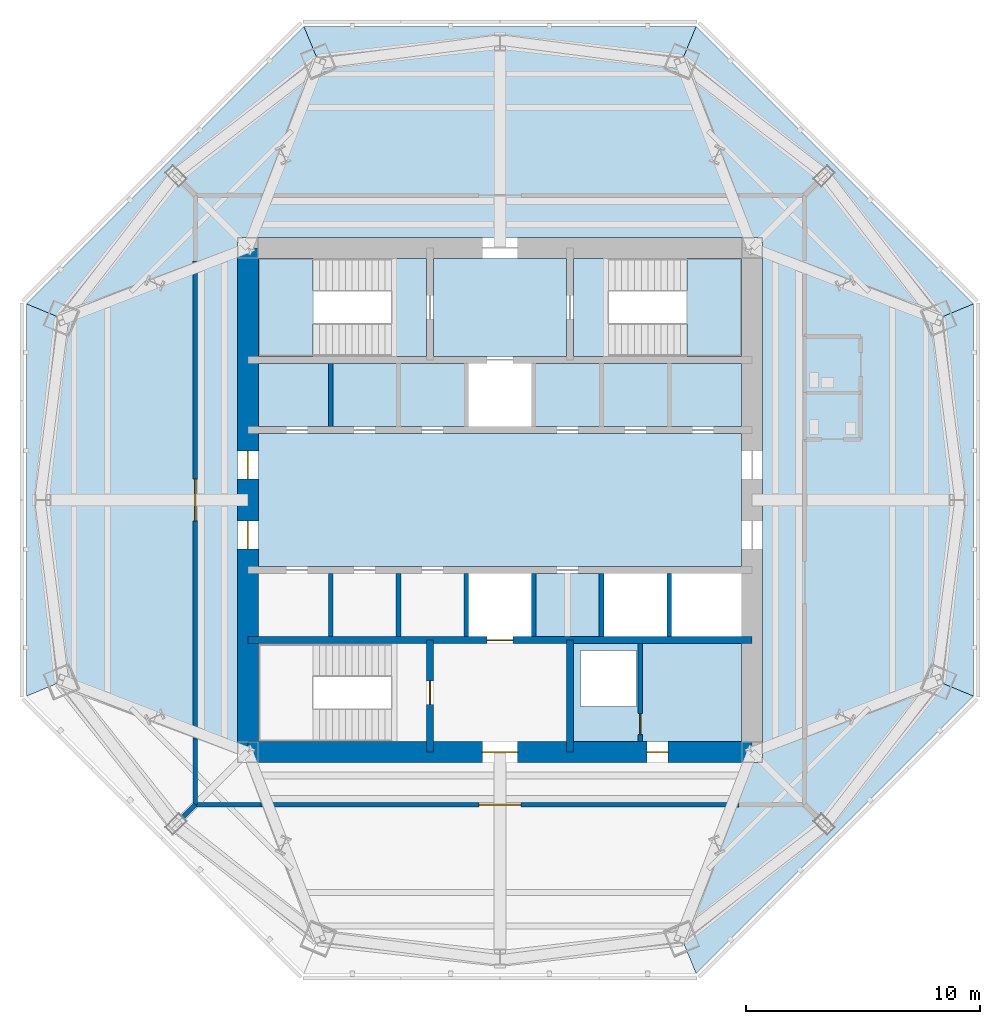
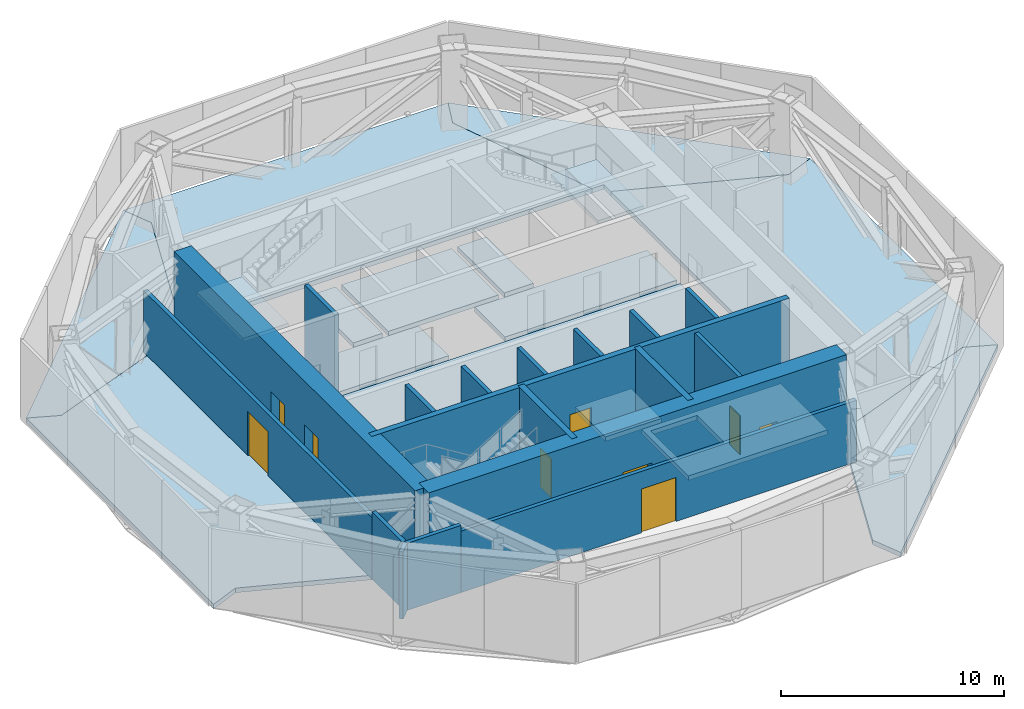
# One storey, part 4 of 9: 18 walls, 16 slabs, 9 doors, 9 openings, 2 elements without a shape of their own.
"""IFC4 building model written with IfcOpenShell, lengths in metres."""

from ifc_helpers import new_model, si_unit, direction, frame, frame_2d, origin, place, context, subcontext, project, spatial, polyline, rectangle, outline, extrude, material, layer, layer_set, type_object, element, fill, aggregate, save


model = new_model("IFC4")

# Units and contexts
model_context = context("Model", 3, precision=1e-05, world=origin(), true_north=direction((0.0, 1.0)))
body_context = subcontext(model_context, "Body", "Model", "MODEL_VIEW")
ifc_project = project(units=[si_unit("LENGTHUNIT", "METRE"), si_unit("AREAUNIT", "SQUARE_METRE"), si_unit("VOLUMEUNIT", "CUBIC_METRE"), si_unit("PLANEANGLEUNIT", "RADIAN"), si_unit("MASSUNIT", "GRAM", prefix="KILO")], contexts=[model_context])

# Site, building, storey
site_placement = place(None, origin())
site = spatial("IfcSite", under=ifc_project, at=site_placement, CompositionType="ELEMENT")
building_placement = place(site_placement, origin())
building = spatial("IfcBuilding", under=site, at=building_placement, Name="Mashrafa Tower", CompositionType="ELEMENT")
storey_placement = place(building_placement, frame((0.0, 0.0, 266.300048828125)))
storey = spatial("IfcBuildingStorey", under=building, at=storey_placement, Name="L64", CompositionType="ELEMENT", Elevation=266.300048828125)

# Slabs
ifc_material_1 = material(Name="Concrete C35/45", Category="concrete")
ifc_layer_1 = layer(ifc_material_1, 0.25)
ifc_layer_set_1 = layer_set([ifc_layer_1], Name="Floor slab 250")
slab_type_1 = type_object("IfcSlabType", Name="Floor slab 250", PredefinedType="FLOOR", material=ifc_layer_set_1)
slab_1_placement = place(storey_placement, frame((0.0, 0.0, -0.25)))
element("IfcSlab", 1, at=slab_1_placement, inside=storey, type_object=slab_type_1, Name="Floor slab L64 east bay", PredefinedType="FLOOR", context=body_context, shape_type="SweptSolid", body=[
    extrude(outline(polyline([(20.281494140625, 8.40087890625), (20.281494140625, -8.40087890625), (20.281494140625, -8.40087890625), (18.810302734375, -7.79150390625), (11.25, -10.631103515625), (11.25, 10.631103515625), (18.810302734375, 7.79150390625), (20.281494140625, 8.40087890625), (20.281494140625, 8.40087890625)])), origin(), (0.0, 0.0, 1.0), 0.25),
])
slab_2_placement = place(storey_placement, frame((0.0, 0.0, -0.25)))
element("IfcSlab", 2, at=slab_2_placement, inside=storey, type_object=slab_type_1, Name="Floor slab L64 north-east bay", PredefinedType="FLOOR", context=body_context, shape_type="SweptSolid", body=[
    extrude(outline(polyline([(20.281494140625, 8.40087890625), (18.810302734375, 7.79150390625), (11.25, 10.631103515625), (11.25, 11.25), (10.631103515625, 11.25), (7.79150390625, 18.810302734375), (8.40087890625, 20.281494140625), (20.281494140625, 8.40087890625)])), origin(), (0.0, 0.0, 1.0), 0.25),
])
slab_3_placement = place(storey_placement, frame((0.0, 0.0, -0.25)))
element("IfcSlab", 3, at=slab_3_placement, inside=storey, type_object=slab_type_1, Name="Floor slab L64 north bay", PredefinedType="FLOOR", context=body_context, shape_type="SweptSolid", body=[
    extrude(outline(polyline([(-8.40087890625, 20.281494140625), (8.40087890625, 20.281494140625), (8.40087890625, 20.281494140625), (7.79150390625, 18.810302734375), (10.631103515625, 11.25), (-10.631103515625, 11.25), (-7.79150390625, 18.810302734375), (-8.40087890625, 20.281494140625), (-8.40087890625, 20.281494140625)])), origin(), (0.0, 0.0, 1.0), 0.25),
])
slab_4_placement = place(storey_placement, frame((0.0, 0.0, -0.25)))
element("IfcSlab", 4, at=slab_4_placement, inside=storey, type_object=slab_type_1, Name="Floor slab L64 north-west bay", PredefinedType="FLOOR", context=body_context, shape_type="SweptSolid", body=[
    extrude(outline(polyline([(-8.40087890625, 20.281494140625), (-7.79150390625, 18.810302734375), (-10.631103515625, 11.25), (-11.25, 11.25), (-11.25, 10.631103515625), (-18.810302734375, 7.79150390625), (-20.281494140625, 8.40087890625), (-8.40087890625, 20.281494140625)])), origin(), (0.0, 0.0, 1.0), 0.25),
])
slab_5_placement = place(storey_placement, frame((0.0, 0.0, -0.25)))
element("IfcSlab", 5, at=slab_5_placement, inside=storey, type_object=slab_type_1, Name="Floor slab L64 west bay", PredefinedType="FLOOR", context=body_context, shape_type="SweptSolid", body=[
    extrude(outline(polyline([(-20.281494140625, -8.40087890625), (-20.281494140625, 8.40087890625), (-20.281494140625, 8.40087890625), (-18.810302734375, 7.79150390625), (-11.25, 10.631103515625), (-11.25, -10.631103515625), (-18.810302734375, -7.79150390625), (-20.281494140625, -8.40087890625), (-20.281494140625, -8.40087890625)])), origin(), (0.0, 0.0, 1.0), 0.25),
])
slab_6_placement = place(storey_placement, frame((0.0, 0.0, -0.25)))
element("IfcSlab", 6, at=slab_6_placement, inside=storey, type_object=slab_type_1, Name="Floor slab L64 south-east bay", PredefinedType="FLOOR", context=body_context, shape_type="SweptSolid", body=[
    extrude(outline(polyline([(8.40087890625, -20.281494140625), (7.79150390625, -18.810302734375), (10.631103515625, -11.25), (11.25, -11.25), (11.25, -10.631103515625), (18.810302734375, -7.79150390625), (20.281494140625, -8.40087890625), (8.40087890625, -20.281494140625)])), origin(), (0.0, 0.0, 1.0), 0.25),
])
slab_7_placement = place(storey_placement, frame((0.0, 0.0, -0.25)))
element("IfcSlab", 7, at=slab_7_placement, inside=storey, type_object=slab_type_1, Name="Core floor lift hall L64", PredefinedType="FLOOR", context=body_context, shape_type="SweptSolid", body=[
    extrude(outline(polyline([(-10.35009765625, 2.85009765625), (10.35009765625, 2.85009765625), (10.35009765625, -2.85009765625), (-10.35009765625, -2.85009765625), (-10.35009765625, 2.85009765625)])), origin(), (0.0, 0.0, 1.0), 0.25),
])
slab_8_placement = place(storey_placement, frame((0.0, 0.0, -0.25)))
element("IfcSlab", 8, at=slab_8_placement, inside=storey, type_object=slab_type_1, Name="Core floor riser and electrical band L64", PredefinedType="FLOOR", context=body_context, shape_type="SweptSolid", body=[
    extrude(outline(polyline([(10.35009765625, -6.14990234375), (10.35009765625, -10.35009765625), (3.14990234375, -10.35009765625), (3.14990234375, -6.14990234375), (10.35009765625, -6.14990234375)]), holes=[polyline([(3.449951171875, -8.85009765625), (5.85009765625, -8.85009765625), (5.85009765625, -6.449951171875), (3.449951171875, -6.449951171875), (3.449951171875, -8.85009765625)])]), origin(), (0.0, 0.0, 1.0), 0.25),
])
slab_9_placement = place(storey_placement, frame((0.0, 0.0, -0.25)))
element("IfcSlab", 9, at=slab_9_placement, inside=storey, type_object=slab_type_1, Name="Core floor lift cell L64", PredefinedType="FLOOR", context=body_context, shape_type="SweptSolid", body=[
    extrude(outline(polyline([(10.35009765625, 5.85009765625), (10.35009765625, 3.14990234375), (1.449951171875, 3.14990234375), (1.449951171875, 5.85009765625), (10.35009765625, 5.85009765625)])), origin(), (0.0, 0.0, 1.0), 0.25),
])
slab_10_placement = place(storey_placement, frame((0.0, 0.0, -0.25)))
element("IfcSlab", 10, at=slab_10_placement, inside=storey, type_object=slab_type_1, Name="Core floor lift cell L64", PredefinedType="FLOOR", context=body_context, shape_type="SweptSolid", body=[
    extrude(outline(polyline([(-1.449951171875, 3.14990234375), (-10.35009765625, 3.14990234375), (-10.35009765625, 5.85009765625), (-1.449951171875, 5.85009765625), (-1.449951171875, 3.14990234375)])), origin(), (0.0, 0.0, 1.0), 0.25),
])
slab_11_placement = place(storey_placement, frame((0.0, 0.0, -0.25)))
element("IfcSlab", 11, at=slab_11_placement, inside=storey, type_object=slab_type_1, Name="Core floor fire-fighting lobby north L64", PredefinedType="FLOOR", context=body_context, shape_type="SweptSolid", body=[
    extrude(outline(polyline([(-2.85009765625, 10.35009765625), (2.85009765625, 10.35009765625), (2.85009765625, 6.14990234375), (-2.85009765625, 6.14990234375), (-2.85009765625, 10.35009765625)])), origin(), (0.0, 0.0, 1.0), 0.25),
])
slab_12_placement = place(storey_placement, frame((0.0, 0.0, -0.25)))
element("IfcSlab", 12, at=slab_12_placement, inside=storey, type_object=slab_type_1, Name="Core floor lift cell L64", PredefinedType="FLOOR", context=body_context, shape_type="SweptSolid", body=[
    extrude(outline(polyline([(4.35009765625, -3.14990234375), (4.35009765625, -5.85009765625), (1.449951171875, -5.85009765625), (1.449951171875, -3.14990234375), (4.35009765625, -3.14990234375)])), origin(), (0.0, 0.0, 1.0), 0.25),
])

# Stair, slab
ifc_material_2 = material(Name="Exit stair 1400")
stair_type = type_object("IfcStairType", Name="Exit stair 1400", PredefinedType="HALF_TURN_STAIR", material=ifc_material_2)
stair_1_placement = place(storey_placement, origin())
stair_1 = element("IfcStair", 13, at=stair_1_placement, inside=storey, type_object=stair_type, Name="Stair S1 L64", PredefinedType="HALF_TURN_STAIR")
ifc_material_3 = material(Name="Concrete C32/40", Category="concrete")
ifc_layer_2 = layer(ifc_material_3, 0.199951171875)
ifc_layer_set_2 = layer_set([ifc_layer_2], Name="Stair landing 200")
slab_type_2 = type_object("IfcSlabType", Name="Stair landing 200", PredefinedType="LANDING", material=ifc_layer_set_2)
slab_13_placement = place(storey_placement, frame((0.0, 0.0, 2.050048828125)))
slab_13 = element("IfcSlab", 14, at=slab_13_placement, type_object=slab_type_2, Name="S1 landing 2", PredefinedType="LANDING", context=body_context, shape_type="SweptSolid", body=[
    extrude(outline(polyline([(-10.35009765625, 6.14990234375), (-8.0, 6.14990234375), (-8.0, 10.35009765625), (-10.35009765625, 10.35009765625), (-10.35009765625, 6.14990234375)])), origin(), (0.0, 0.0, 1.0), 0.199951171875),
])

stair_2_placement = place(storey_placement, origin())
stair_2 = element("IfcStair", 15, at=stair_2_placement, inside=storey, type_object=stair_type, Name="Stair S2 L64", PredefinedType="HALF_TURN_STAIR")
slab_14_placement = place(storey_placement, frame((0.0, 0.0, 2.050048828125)))
slab_14 = element("IfcSlab", 16, at=slab_14_placement, type_object=slab_type_2, Name="S2 landing 2", PredefinedType="LANDING", context=body_context, shape_type="SweptSolid", body=[
    extrude(outline(polyline([(8.0, 6.14990234375), (10.35009765625, 6.14990234375), (10.35009765625, 10.35009765625), (8.0, 10.35009765625), (8.0, 6.14990234375)])), origin(), (0.0, 0.0, 1.0), 0.199951171875),
])

# Slab
ifc_material_4 = material(Name="Concrete C32/40", Category="concrete")
ifc_layer_3 = layer(ifc_material_4, 0.25)
ifc_layer_set_3 = layer_set([ifc_layer_3], Name="Stair landing 250")
slab_type_3 = type_object("IfcSlabType", Name="Stair landing 250", PredefinedType="LANDING", material=ifc_layer_set_3)
slab_15_placement = place(storey_placement, frame((0.0, 0.0, -0.25)))
slab_15 = element("IfcSlab", 17, at=slab_15_placement, type_object=slab_type_3, Name="S1 landing 1", PredefinedType="LANDING", context=body_context, shape_type="SweptSolid", body=[
    extrude(outline(polyline([(-4.659912109375, 6.14990234375), (-3.14990234375, 6.14990234375), (-3.14990234375, 10.35009765625), (-4.659912109375, 10.35009765625), (-4.659912109375, 6.14990234375)])), origin(), (0.0, 0.0, 1.0), 0.25),
])

aggregate(stair_1, [slab_15, slab_13])

slab_16_placement = place(storey_placement, frame((0.0, 0.0, -0.25)))
slab_16 = element("IfcSlab", 18, at=slab_16_placement, type_object=slab_type_3, Name="S2 landing 1", PredefinedType="LANDING", context=body_context, shape_type="SweptSolid", body=[
    extrude(outline(polyline([(3.14990234375, 6.14990234375), (4.659912109375, 6.14990234375), (4.659912109375, 10.35009765625), (3.14990234375, 10.35009765625), (3.14990234375, 6.14990234375)])), origin(), (0.0, 0.0, 1.0), 0.25),
])

aggregate(stair_2, [slab_16, slab_14])

# Wall, opening, door
ifc_material_5 = material(Name="Concrete masonry unit", Category="masonry")
ifc_layer_4 = layer(ifc_material_5, 0.199951171875)
ifc_layer_set_4 = layer_set([ifc_layer_4], Name="Blockwork wall 200 2 hr")
wall_type_1 = type_object("IfcWallType", Name="Blockwork wall 200 2 hr", PredefinedType="PARTITIONING", material=ifc_layer_set_4)
wall_1_placement = place(storey_placement, frame((-13.050048828125, 10.22802734375, 0.0), z_axis=(0.0, 0.0, 1.0), x_axis=(0.0, -1.0, 0.0)))
wall_1 = element("IfcWall", 19, at=wall_1_placement, inside=storey, type_object=wall_type_1, Name="Blockwork wall L64-008", PredefinedType="PARTITIONING", context=body_context, shape_type="SweptSolid", body=[
    extrude(rectangle(XDim=20.4560546875, YDim=0.199951171875, at=frame_2d((10.22802734375, 0.0))), origin(), (0.0, 0.0, 1.0), 3.36279296875),
])
opening_1_placement = place(wall_1_placement, frame((9.327880859375, 0.0, 0.0)))
opening_1 = element("IfcOpeningElement", 20, at=opening_1_placement, cuts=wall_1, Name="Opening 64.004", PredefinedType="OPENING", context=body_context, shape_type="SweptSolid", body=[
    extrude(rectangle(XDim=1.800048828125, YDim=2.39990234375, at=frame_2d((0.89990234375, 1.199951171875))), frame((0.0, 0.10986328125, 0.0), z_axis=(0.0, -1.0, 0.0), x_axis=(1.0, 0.0, 0.0)), (0.0, 0.0, 1.0), 0.219970703125),
])
ifc_material_6 = material(Name="Steel door", Category="steel")
door_type_1 = type_object("IfcDoorType", Name="Door pair 1800 x 2400 90 min", OperationType="DOUBLE_DOOR_SINGLE_SWING", PredefinedType="DOOR", material=ifc_material_6)
door_1_placement = place(opening_1_placement, origin())
door_1 = element("IfcDoor", 21, at=door_1_placement, inside=storey, type_object=door_type_1, Name="Refuge Area L64 West door", OperationType="DOUBLE_DOOR_SINGLE_SWING", OverallHeight=2.39990234375, OverallWidth=1.800048828125, PredefinedType="DOOR", context=body_context, shape_type="SweptSolid", body=[
    extrude(rectangle(XDim=1.800048828125, YDim=2.39990234375, at=frame_2d((0.89990234375, 1.199951171875))), frame((0.0, 0.02490234375, 0.0), z_axis=(0.0, -1.0, 0.0), x_axis=(1.0, 0.0, 0.0)), (0.0, 0.0, 1.0), 0.050048828125),
])
fill(opening_1, door_1)

# Walls
for number, where, z_axis, x_axis, name in (
    (22, (-13.050048828125, -10.22998046875, 0.0), (0.0, 0.0, 1.0), (0.0, -1.0, 0.0), "Blockwork wall L64-009"),
    (23, (-13.050048828125, -13.050048828125, 0.0), (0.0, 0.0, 1.0), (1.0, 0.0, 0.0), "Blockwork wall L64-013"),
):
    element("IfcWall", number, at=place(storey_placement, frame(where, z_axis=z_axis, x_axis=x_axis)), inside=storey, type_object=wall_type_1, Name=name, PredefinedType="PARTITIONING", context=body_context, shape_type="SweptSolid", body=[
        extrude(rectangle(XDim=2.820068359375, YDim=0.199951171875, at=frame_2d((1.41015625, 0.0))), origin(), (0.0, 0.0, 1.0), 3.677734375),
    ])

# Wall, opening, door
wall_2_placement = place(storey_placement, frame((-10.22802734375, -13.050048828125, 0.0), z_axis=(0.0, 0.0, 1.0), x_axis=(1.0, 0.0, 0.0)))
wall_2 = element("IfcWall", 24, at=wall_2_placement, inside=storey, type_object=wall_type_1, Name="Blockwork wall L64-014", PredefinedType="PARTITIONING", context=body_context, shape_type="SweptSolid", body=[
    extrude(rectangle(XDim=20.4560546875, YDim=0.199951171875, at=frame_2d((10.22802734375, 0.0))), origin(), (0.0, 0.0, 1.0), 3.36279296875),
])
opening_2_placement = place(wall_2_placement, frame((9.327880859375, 0.0, 0.0)))
opening_2 = element("IfcOpeningElement", 25, at=opening_2_placement, cuts=wall_2, Name="Opening 64.006", PredefinedType="OPENING", context=body_context, shape_type="SweptSolid", body=[
    extrude(rectangle(XDim=1.800048828125, YDim=2.39990234375, at=frame_2d((0.89990234375, 1.199951171875))), frame((0.0, 0.10986328125, 0.0), z_axis=(0.0, -1.0, 0.0), x_axis=(1.0, 0.0, 0.0)), (0.0, 0.0, 1.0), 0.219970703125),
])
door_2_placement = place(opening_2_placement, frame((1.800048828125, 0.0, 0.0), z_axis=(0.0, 0.0, 1.0), x_axis=(-1.0, 0.0, 0.0)))
door_2 = element("IfcDoor", 26, at=door_2_placement, inside=storey, type_object=door_type_1, Name="Transfer Water Tank Room L64 door", OperationType="DOUBLE_DOOR_SINGLE_SWING", OverallHeight=2.39990234375, OverallWidth=1.800048828125, PredefinedType="DOOR", context=body_context, shape_type="SweptSolid", body=[
    extrude(rectangle(XDim=1.800048828125, YDim=2.39990234375, at=frame_2d((0.89990234375, 1.199951171875))), frame((0.0, 0.02490234375, 0.0), z_axis=(0.0, -1.0, 0.0), x_axis=(1.0, 0.0, 0.0)), (0.0, 0.0, 1.0), 0.050048828125),
])
fill(opening_2, door_2)

# Wall
wall_3_placement = place(storey_placement, frame((-13.578857421875, -13.578857421875, 0.0), z_axis=(0.0, 0.0, 1.0), x_axis=(0.707106781187, 0.707106781187, 0.0)))
element("IfcWall", 27, at=wall_3_placement, inside=storey, type_object=wall_type_1, Name="Blockwork wall L64-024", PredefinedType="PARTITIONING", context=body_context, shape_type="SweptSolid", body=[
    extrude(rectangle(XDim=0.747802734375, YDim=0.199951171875, at=frame_2d((0.3740234375, 0.0))), origin(), (0.0, 0.0, 1.0), 3.677734375),
])

# Wall, opening, door
wall_4_placement = place(storey_placement, frame((6.0, -10.35009765625, 0.0), z_axis=(0.0, 0.0, 1.0), x_axis=(0.0, 1.0, 0.0)))
wall_4 = element("IfcWall", 28, at=wall_4_placement, inside=storey, type_object=wall_type_1, Name="Riser enclosure wall L64", PredefinedType="PARTITIONING", context=body_context, shape_type="SweptSolid", body=[
    extrude(rectangle(XDim=4.2001953125, YDim=0.199951171875, at=frame_2d((2.10009765625, 0.0))), origin(), (0.0, 0.0, 1.0), 4.300048828125),
])
opening_3_placement = place(wall_4_placement, frame((0.300048828125, 0.0, 0.0)))
opening_3 = element("IfcOpeningElement", 29, at=opening_3_placement, cuts=wall_4, Name="Opening 64.017", PredefinedType="OPENING", context=body_context, shape_type="SweptSolid", body=[
    extrude(rectangle(XDim=0.89990234375, YDim=2.10009765625, at=frame_2d((0.449951171875, 1.050048828125))), frame((0.0, 0.10986328125, 0.0), z_axis=(0.0, -1.0, 0.0), x_axis=(1.0, 0.0, 0.0)), (0.0, 0.0, 1.0), 0.219970703125),
])
ifc_material_7 = material(Name="Steel door", Category="steel")
door_type_2 = type_object("IfcDoorType", Name="Service door 900 x 2100 90 min", OperationType="USERDEFINED", PredefinedType="DOOR", material=ifc_material_7)
door_3_placement = place(opening_3_placement, origin())
door_3 = element("IfcDoor", 30, at=door_3_placement, inside=storey, type_object=door_type_2, Name="Riser door L64", OperationType="SINGLE_SWING_LEFT", OverallHeight=2.10009765625, OverallWidth=0.89990234375, PredefinedType="DOOR", context=body_context, shape_type="SweptSolid", body=[
    extrude(rectangle(XDim=0.89990234375, YDim=2.10009765625, at=frame_2d((0.449951171875, 1.050048828125))), frame((0.0, 0.02490234375, 0.0), z_axis=(0.0, -1.0, 0.0), x_axis=(1.0, 0.0, 0.0)), (0.0, 0.0, 1.0), 0.050048828125),
])
fill(opening_3, door_3)

ifc_material_8 = material(Name="Concrete C50/60", Category="concrete")
ifc_layer_5 = layer(ifc_material_8, 0.300048828125)
ifc_layer_set_5 = layer_set([ifc_layer_5], Name="Core wall 300 C50/60")
wall_type_2 = type_object("IfcWallType", Name="Core wall 300 C50/60", PredefinedType="SOLIDWALL", material=ifc_layer_set_5)
wall_5_placement = place(storey_placement, frame((-10.800048828125, -6.0, 0.0), z_axis=(0.0, 0.0, 1.0), x_axis=(1.0, 0.0, 0.0)))
wall_5 = element("IfcWall", 31, at=wall_5_placement, inside=storey, type_object=wall_type_2, Name="Core wall CB-S L64", PredefinedType="SOLIDWALL", context=body_context, shape_type="SweptSolid", body=[
    extrude(rectangle(XDim=21.60009765625, YDim=0.300048828125, at=frame_2d((10.800048828125, 0.0))), origin(), (0.0, 0.0, 1.0), 4.5),
])
opening_4_placement = place(wall_5_placement, frame((10.25, 0.0, 0.0)))
opening_4 = element("IfcOpeningElement", 32, at=opening_4_placement, cuts=wall_5, Name="Opening 64.F2", PredefinedType="OPENING", context=body_context, shape_type="SweptSolid", body=[
    extrude(rectangle(XDim=1.10009765625, YDim=2.10009765625, at=frame_2d((0.550048828125, 1.050048828125))), frame((0.0, 0.159912109375, 0.0), z_axis=(0.0, -1.0, 0.0), x_axis=(1.0, 0.0, 0.0)), (0.0, 0.0, 1.0), 0.320068359375),
])
ifc_material_9 = material(Name="Steel door", Category="steel")
door_type_3 = type_object("IfcDoorType", Name="Lift landing door 1100 x 2100 90 min", OperationType="DOUBLE_DOOR_SLIDING", PredefinedType="DOOR", material=ifc_material_9)
door_4_placement = place(opening_4_placement, origin())
door_4 = element("IfcDoor", 33, at=door_4_placement, inside=storey, type_object=door_type_3, Name="Lift landing door F2 L64", OperationType="DOUBLE_DOOR_SLIDING", OverallHeight=2.10009765625, OverallWidth=1.10009765625, PredefinedType="DOOR", context=body_context, shape_type="SweptSolid", body=[
    extrude(rectangle(XDim=1.10009765625, YDim=2.10009765625, at=frame_2d((0.550048828125, 1.050048828125))), frame((0.0, 0.02490234375, 0.0), z_axis=(0.0, -1.0, 0.0), x_axis=(1.0, 0.0, 0.0)), (0.0, 0.0, 1.0), 0.050048828125),
])
fill(opening_4, door_4)

wall_6_placement = place(storey_placement, frame((-3.0, -6.0, 0.0), z_axis=(0.0, 0.0, 1.0), x_axis=(0.0, -1.0, 0.0)))
wall_6 = element("IfcWall", 34, at=wall_6_placement, inside=storey, type_object=wall_type_2, Name="Core wall CX-SW L64", PredefinedType="SOLIDWALL", context=body_context, shape_type="SweptSolid", body=[
    extrude(rectangle(XDim=4.800048828125, YDim=0.300048828125, at=frame_2d((2.39990234375, 0.0))), origin(), (0.0, 0.0, 1.0), 4.5),
])
opening_5_placement = place(wall_6_placement, frame((1.75, 0.0, 0.0)))
opening_5 = element("IfcOpeningElement", 35, at=opening_5_placement, cuts=wall_6, Name="Opening 64.015", PredefinedType="OPENING", context=body_context, shape_type="SweptSolid", body=[
    extrude(rectangle(XDim=1.0, YDim=2.10009765625, at=frame_2d((0.5, 1.050048828125))), frame((0.0, 0.159912109375, 0.0), z_axis=(0.0, -1.0, 0.0), x_axis=(1.0, 0.0, 0.0)), (0.0, 0.0, 1.0), 0.320068359375),
])
ifc_material_10 = material(Name="Steel door", Category="steel")
door_type_4 = type_object("IfcDoorType", Name="Stair door 1000 x 2100 90 min", OperationType="USERDEFINED", PredefinedType="DOOR", material=ifc_material_10)
door_5_placement = place(opening_5_placement, frame((1.0, 0.0, 0.0), z_axis=(0.0, 0.0, 1.0), x_axis=(-1.0, 0.0, 0.0)))
door_5 = element("IfcDoor", 36, at=door_5_placement, inside=storey, type_object=door_type_4, Name="Stair S3 door L64", OperationType="SINGLE_SWING_RIGHT", OverallHeight=2.10009765625, OverallWidth=1.0, PredefinedType="DOOR", context=body_context, shape_type="SweptSolid", body=[
    extrude(rectangle(XDim=1.0, YDim=2.10009765625, at=frame_2d((0.5, 1.050048828125))), frame((0.0, 0.02490234375, 0.0), z_axis=(0.0, -1.0, 0.0), x_axis=(1.0, 0.0, 0.0)), (0.0, 0.0, 1.0), 0.050048828125),
])
fill(opening_5, door_5)

# Wall
wall_7_placement = place(storey_placement, frame((3.0, -6.0, 0.0), z_axis=(0.0, 0.0, 1.0), x_axis=(0.0, -1.0, 0.0)))
element("IfcWall", 37, at=wall_7_placement, inside=storey, type_object=wall_type_2, Name="Core wall CX-SE L64", PredefinedType="SOLIDWALL", context=body_context, shape_type="SweptSolid", body=[
    extrude(rectangle(XDim=4.800048828125, YDim=0.300048828125, at=frame_2d((2.39990234375, 0.0))), origin(), (0.0, 0.0, 1.0), 4.5),
])

# Wall, openings, doors
ifc_material_11 = material(Name="Concrete C50/60", Category="concrete")
ifc_layer_6 = layer(ifc_material_11, 0.89990234375)
ifc_layer_set_6 = layer_set([ifc_layer_6], Name="Core wall 900 C50/60")
wall_type_3 = type_object("IfcWallType", Name="Core wall 900 C50/60", PredefinedType="SOLIDWALL", material=ifc_layer_set_6)
wall_8_placement = place(storey_placement, frame((-10.800048828125, -10.800048828125, 0.0), z_axis=(0.0, 0.0, 1.0), x_axis=(1.0, 0.0, 0.0)))
wall_8 = element("IfcWall", 38, at=wall_8_placement, inside=storey, type_object=wall_type_3, Name="Core wall CW-S L64", PredefinedType="SOLIDWALL", context=body_context, shape_type="SweptSolid", body=[
    extrude(rectangle(XDim=21.60009765625, YDim=0.89990234375, at=frame_2d((10.800048828125, 0.0))), origin(), (0.0, 0.0, 1.0), 4.5),
])
opening_6_placement = place(wall_8_placement, frame((10.050048828125, 0.0, 0.0)))
opening_6 = element("IfcOpeningElement", 39, at=opening_6_placement, cuts=wall_8, Name="Opening 64.012", PredefinedType="OPENING", context=body_context, shape_type="SweptSolid", body=[
    extrude(rectangle(XDim=1.5, YDim=2.10009765625, at=frame_2d((0.75, 1.050048828125))), frame((0.0, 0.4599609375, 0.0), z_axis=(0.0, -1.0, 0.0), x_axis=(1.0, 0.0, 0.0)), (0.0, 0.0, 1.0), 0.919921875),
])
opening_7_placement = place(wall_8_placement, frame((17.10009765625, 0.0, 0.0)))
opening_7 = element("IfcOpeningElement", 40, at=opening_7_placement, cuts=wall_8, Name="Opening 64.016", PredefinedType="OPENING", context=body_context, shape_type="SweptSolid", body=[
    extrude(rectangle(XDim=0.89990234375, YDim=2.10009765625, at=frame_2d((0.449951171875, 1.050048828125))), frame((0.0, 0.4599609375, 0.0), z_axis=(0.0, -1.0, 0.0), x_axis=(1.0, 0.0, 0.0)), (0.0, 0.0, 1.0), 0.919921875),
])
ifc_material_12 = material(Name="Steel door", Category="steel")
door_type_5 = type_object("IfcDoorType", Name="Lobby door pair 1500 x 2100 90 min", OperationType="DOUBLE_DOOR_SINGLE_SWING", PredefinedType="DOOR", material=ifc_material_12)
door_6_placement = place(opening_6_placement, origin())
door_6 = element("IfcDoor", 41, at=door_6_placement, inside=storey, type_object=door_type_5, Name="Fire-fighting lobby F2 door L64", OperationType="DOUBLE_DOOR_SINGLE_SWING", OverallHeight=2.10009765625, OverallWidth=1.5, PredefinedType="DOOR", context=body_context, shape_type="SweptSolid", body=[
    extrude(rectangle(XDim=1.5, YDim=2.10009765625, at=frame_2d((0.75, 1.050048828125))), frame((0.0, 0.02490234375, 0.0), z_axis=(0.0, -1.0, 0.0), x_axis=(1.0, 0.0, 0.0)), (0.0, 0.0, 1.0), 0.050048828125),
])
fill(opening_6, door_6)
door_7_placement = place(opening_7_placement, origin())
door_7 = element("IfcDoor", 42, at=door_7_placement, inside=storey, type_object=door_type_2, Name="Plant Store L64 door", OperationType="SINGLE_SWING_LEFT", OverallHeight=2.10009765625, OverallWidth=0.89990234375, PredefinedType="DOOR", context=body_context, shape_type="SweptSolid", body=[
    extrude(rectangle(XDim=0.89990234375, YDim=2.10009765625, at=frame_2d((0.449951171875, 1.050048828125))), frame((0.0, 0.02490234375, 0.0), z_axis=(0.0, -1.0, 0.0), x_axis=(1.0, 0.0, 0.0)), (0.0, 0.0, 1.0), 0.050048828125),
])
fill(opening_7, door_7)

wall_9_placement = place(storey_placement, frame((-10.800048828125, 10.800048828125, 0.0), z_axis=(0.0, 0.0, 1.0), x_axis=(0.0, -1.0, 0.0)))
wall_9 = element("IfcWall", 43, at=wall_9_placement, inside=storey, type_object=wall_type_3, Name="Core wall CW-W L64", PredefinedType="SOLIDWALL", context=body_context, shape_type="SweptSolid", body=[
    extrude(rectangle(XDim=21.60009765625, YDim=0.89990234375, at=frame_2d((10.800048828125, 0.0))), origin(), (0.0, 0.0, 1.0), 4.5),
])
opening_8_placement = place(wall_9_placement, frame((8.699951171875, 0.0, 0.0)))
opening_8 = element("IfcOpeningElement", 44, at=opening_8_placement, cuts=wall_9, Name="Opening 64.008", PredefinedType="OPENING", context=body_context, shape_type="SweptSolid", body=[
    extrude(rectangle(XDim=1.199951171875, YDim=2.10009765625, at=frame_2d((0.60009765625, 1.050048828125))), frame((0.0, 0.4599609375, 0.0), z_axis=(0.0, -1.0, 0.0), x_axis=(1.0, 0.0, 0.0)), (0.0, 0.0, 1.0), 0.919921875),
])
opening_9_placement = place(wall_9_placement, frame((11.699951171875, 0.0, 0.0)))
opening_9 = element("IfcOpeningElement", 45, at=opening_9_placement, cuts=wall_9, Name="Opening 64.010", PredefinedType="OPENING", context=body_context, shape_type="SweptSolid", body=[
    extrude(rectangle(XDim=1.199951171875, YDim=2.10009765625, at=frame_2d((0.60009765625, 1.050048828125))), frame((0.0, 0.4599609375, 0.0), z_axis=(0.0, -1.0, 0.0), x_axis=(1.0, 0.0, 0.0)), (0.0, 0.0, 1.0), 0.919921875),
])
ifc_material_13 = material(Name="Steel door", Category="steel")
door_type_6 = type_object("IfcDoorType", Name="Lift hall door 1200 x 2100 90 min", OperationType="USERDEFINED", PredefinedType="DOOR", material=ifc_material_13)
door_8_placement = place(opening_8_placement, frame((1.199951171875, 0.0, 0.0), z_axis=(0.0, 0.0, 1.0), x_axis=(-1.0, 0.0, 0.0)))
door_8 = element("IfcDoor", 46, at=door_8_placement, inside=storey, type_object=door_type_6, Name="Lift hall door west L64", OperationType="SINGLE_SWING_RIGHT", OverallHeight=2.10009765625, OverallWidth=1.199951171875, PredefinedType="DOOR", context=body_context, shape_type="SweptSolid", body=[
    extrude(rectangle(XDim=1.199951171875, YDim=2.10009765625, at=frame_2d((0.60009765625, 1.050048828125))), frame((0.0, 0.02490234375, 0.0), z_axis=(0.0, -1.0, 0.0), x_axis=(1.0, 0.0, 0.0)), (0.0, 0.0, 1.0), 0.050048828125),
])
fill(opening_8, door_8)
door_9_placement = place(opening_9_placement, frame((1.199951171875, 0.0, 0.0), z_axis=(0.0, 0.0, 1.0), x_axis=(-1.0, 0.0, 0.0)))
door_9 = element("IfcDoor", 47, at=door_9_placement, inside=storey, type_object=door_type_6, Name="Lift hall door west L64", OperationType="SINGLE_SWING_LEFT", OverallHeight=2.10009765625, OverallWidth=1.199951171875, PredefinedType="DOOR", context=body_context, shape_type="SweptSolid", body=[
    extrude(rectangle(XDim=1.199951171875, YDim=2.10009765625, at=frame_2d((0.60009765625, 1.050048828125))), frame((0.0, 0.02490234375, 0.0), z_axis=(0.0, -1.0, 0.0), x_axis=(1.0, 0.0, 0.0)), (0.0, 0.0, 1.0), 0.050048828125),
])
fill(opening_9, door_9)

# Walls
ifc_material_14 = material(Name="Gypsum shaft wall on steel studs", Category="steel")
ifc_layer_7 = layer(ifc_material_14, 0.199951171875)
ifc_layer_set_7 = layer_set([ifc_layer_7], Name="Shaft divider wall 200 2 hr")
wall_type_4 = type_object("IfcWallType", Name="Shaft divider wall 200 2 hr", PredefinedType="PARTITIONING", material=ifc_layer_set_7)
for number, where, z_axis, x_axis, name in (
    (48, (-7.25, 3.14990234375, 0.0), (0.0, 0.0, 1.0), (0.0, 1.0, 0.0), "Shaft divider wall N1 L64"),
    (49, (-7.25, -5.85009765625, 0.0), (0.0, 0.0, 1.0), (0.0, 1.0, 0.0), "Shaft divider wall S1 L64"),
    (50, (-4.35009765625, -5.85009765625, 0.0), (0.0, 0.0, 1.0), (0.0, 1.0, 0.0), "Shaft divider wall S2 L64"),
    (51, (-1.449951171875, -5.85009765625, 0.0), (0.0, 0.0, 1.0), (0.0, 1.0, 0.0), "Shaft divider wall S3 L64"),
    (52, (1.449951171875, -5.85009765625, 0.0), (0.0, 0.0, 1.0), (0.0, 1.0, 0.0), "Shaft divider wall S4 L64"),
    (53, (4.35009765625, -5.85009765625, 0.0), (0.0, 0.0, 1.0), (0.0, 1.0, 0.0), "Shaft divider wall S5 L64"),
):
    element("IfcWall", number, at=place(storey_placement, frame(where, z_axis=z_axis, x_axis=x_axis)), inside=storey, type_object=wall_type_4, Name=name, PredefinedType="PARTITIONING", context=body_context, shape_type="SweptSolid", body=[
        extrude(rectangle(XDim=2.7001953125, YDim=0.199951171875, at=frame_2d((1.35009765625, 0.0))), origin(), (0.0, 0.0, 1.0), 4.300048828125),
    ])
wall_10_placement = place(storey_placement, frame((7.25, -5.85009765625, 0.0), z_axis=(0.0, 0.0, 1.0), x_axis=(0.0, 1.0, 0.0)))
element("IfcWall", 54, at=wall_10_placement, inside=storey, type_object=wall_type_4, Name="Shaft divider wall S6 L64", PredefinedType="PARTITIONING", context=body_context, shape_type="SweptSolid", body=[
    extrude(rectangle(XDim=2.7001953125, YDim=0.199951171875, at=frame_2d((1.35009765625, 0.0))), origin(), (0.0, 0.0, 1.0), 4.5),
])

save(model, "model.ifc")
